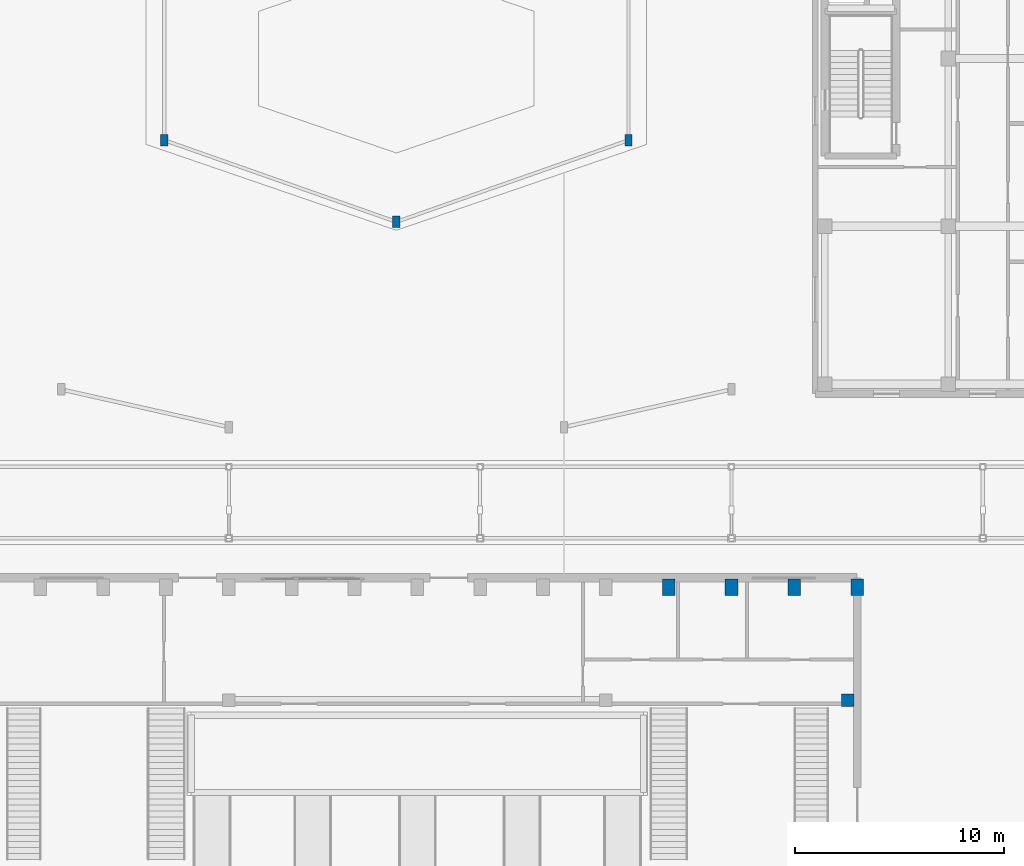
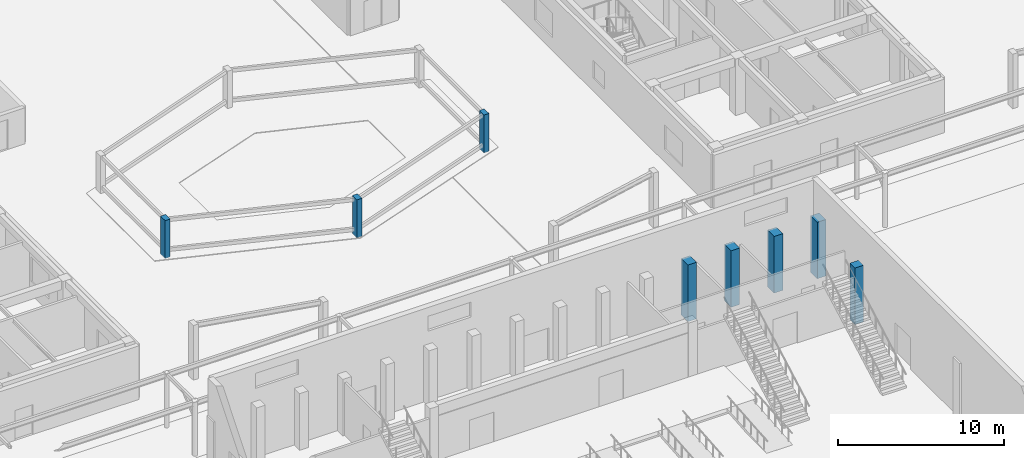
# One storey, part 7 of 114: 8 columns.
"""IFC4 building model written with IfcOpenShell, lengths in metres."""

import ifcopenshell
import ifcopenshell.guid

model = None  # the IFC model being written
_history = None  # IfcOwnerHistory: only IFC2X3 demands one
_inside = {}  # id of a spatial element -> (the spatial element, [elements in it])
_under = {}  # id of a project, library or spatial element -> (it, [spatial elements below it])
_declared = {}  # id of a project -> (the project, [libraries it declares])
_typed = {}  # id of a type object -> (the type object, [elements of that type])
_made_of = {}  # id of a material, layer set ... -> (it, [elements and type objects made of it])


def new_model(schema):
    """Start an empty IFC model of exactly this schema.

    Asked for "IFC4X3", IfcOpenShell would pick the latest addendum, in which some entities
    have other attributes; the version numbers below select the first issue.
    IFC2X3 requires an IfcOwnerHistory on every rooted entity: one is made here for all.
    """
    global model, _history
    if schema == "IFC4X3":
        model = ifcopenshell.file(schema_version=(4, 3, 0, 0))
    else:
        model = ifcopenshell.file(schema=schema)
    _inside.clear()
    _under.clear()
    _declared.clear()
    _typed.clear()
    _made_of.clear()
    _history = None
    if model.schema == "IFC2X3":
        org = make("IfcOrganization", Name="unknown")
        user = make(
            "IfcPersonAndOrganization",
            ThePerson=make("IfcPerson", FamilyName="unknown"),
            TheOrganization=org,
        )
        app = make(
            "IfcApplication",
            ApplicationDeveloper=org,
            Version="unknown",
            ApplicationFullName="unknown",
            ApplicationIdentifier="unknown",
        )
        _history = make(
            "IfcOwnerHistory",
            OwningUser=user,
            OwningApplication=app,
            ChangeAction="ADDED",
            CreationDate=0,
        )
    return model


def make(cls, **values):
    """One entity of the class cls with the attributes given. An attribute that is None is left unset."""
    return model.create_entity(
        cls, **{name: value for name, value in values.items() if value is not None}
    )


def rooted(cls, **values):
    """An entity with a GlobalId (a new one), such as an element, a storey or a relation."""
    return make(cls, GlobalId=ifcopenshell.guid.new(), OwnerHistory=_history, **values)


def si_unit(unit_type, name, prefix=None):
    """IfcSIUnit, for example si_unit("LENGTHUNIT", "METRE", prefix="MILLI")."""
    return make("IfcSIUnit", UnitType=unit_type, Prefix=prefix, Name=name)


def assignment(units):
    """IfcUnitAssignment: the units of a project."""
    return None if units is None else make("IfcUnitAssignment", Units=units)


def point(xyz):
    """IfcCartesianPoint."""
    return None if xyz is None else make("IfcCartesianPoint", Coordinates=xyz)


def direction(xyz):
    """IfcDirection."""
    return None if xyz is None else make("IfcDirection", DirectionRatios=xyz)


def frame(location, z_axis=None, x_axis=None):
    """IfcAxis2Placement3D, a coordinate frame: its origin and axes. An axis left out is left unset."""
    return make(
        "IfcAxis2Placement3D",
        Location=point(location),
        Axis=direction(z_axis),
        RefDirection=direction(x_axis),
    )


def frame_2d(location, x_axis=None):
    """IfcAxis2Placement2D, a coordinate frame in the plane: its origin and x axis."""
    return make(
        "IfcAxis2Placement2D", Location=point(location), RefDirection=direction(x_axis)
    )


def origin():
    """The frame at (0, 0, 0) with its axes left unset."""
    return frame((0.0, 0.0, 0.0))


def origin_2d():
    """The frame at (0, 0) in the plane with its x axis left unset."""
    return frame_2d((0.0, 0.0))


def place(relative_to, where):
    """IfcLocalPlacement: puts the frame where relative to a parent placement (None: the world)."""
    return make(
        "IfcLocalPlacement", PlacementRelTo=relative_to, RelativePlacement=where
    )


def context(
    kind, dimensions, precision=None, world=None, true_north=None, identifier=None
):
    """IfcGeometricRepresentationContext, for example the 3D "Model" context."""
    return make(
        "IfcGeometricRepresentationContext",
        ContextIdentifier=identifier,
        ContextType=kind,
        CoordinateSpaceDimension=dimensions,
        Precision=precision,
        WorldCoordinateSystem=world,
        TrueNorth=true_north,
    )


def subcontext(parent, identifier, kind, view, scale=None):
    """IfcGeometricRepresentationSubContext, for example "Body" below "Model"."""
    return make(
        "IfcGeometricRepresentationSubContext",
        ContextIdentifier=identifier,
        ContextType=kind,
        ParentContext=parent,
        TargetScale=scale,
        TargetView=view,
    )


def project(units=None, contexts=None):
    """IfcProject with its units and contexts."""
    return rooted(
        "IfcProject",
        Name="project",
        RepresentationContexts=contexts,
        UnitsInContext=assignment(units),
    )


def spatial(cls, under=None, at=None, **own):
    """A site, building, storey or space (cls), placed at a placement, below another one or the project."""
    s = rooted(cls, ObjectPlacement=at, **own)
    if under is not None:
        _under.setdefault(under.id(), (under, []))[1].append(s)
    return s


def profile(cls, at=None, kind="AREA", **sizes):
    """A parametric profile (cls). Its sizes go by their IFC names, for example OverallWidth=200.0."""
    return make(cls, ProfileType=kind, Position=at, **sizes)


def rectangle(**sizes):
    """IfcRectangleProfileDef."""
    return profile("IfcRectangleProfileDef", **sizes)


def extrude(swept, where, along, depth):
    """IfcExtrudedAreaSolid: the profile swept, set in the frame where, extruded along a direction by depth."""
    return make(
        "IfcExtrudedAreaSolid",
        SweptArea=swept,
        Position=where,
        ExtrudedDirection=direction(along),
        Depth=depth,
    )


def shape(context_of_items, identifier, shape_type, items):
    """IfcShapeRepresentation: the items that make up one representation, for example the "Body"."""
    return make(
        "IfcShapeRepresentation",
        ContextOfItems=context_of_items,
        RepresentationIdentifier=identifier,
        RepresentationType=shape_type,
        Items=items,
    )


def material(Name=None, Category=None):
    """IfcMaterial."""
    return make("IfcMaterial", Name=Name, Category=Category)


def material_profile(
    of_material, cross_section, Name=None, Category=None, Priority=None
):
    """IfcMaterialProfile: a cross section and its material."""
    return make(
        "IfcMaterialProfile",
        Name=Name,
        Material=of_material,
        Profile=cross_section,
        Priority=Priority,
        Category=Category,
    )


def profile_set(profiles, Name=None, composite=None):
    """IfcMaterialProfileSet."""
    return make(
        "IfcMaterialProfileSet",
        Name=Name,
        MaterialProfiles=profiles,
        CompositeProfile=composite,
    )


def made_of(thing, what):
    """Note that an element or type object is made of a material, layer set ...; save() writes the relation."""
    if what is not None:
        _made_of.setdefault(what.id(), (what, []))[1].append(thing)
    return thing


def type_object(cls, material=None, **own):
    """A type object (cls), such as IfcWallType, which elements share."""
    return made_of(rooted(cls, **own), material)


def element(
    cls,
    number,
    at=None,
    inside=None,
    cuts=None,
    type_object=None,
    material=None,
    context=None,
    identifier="Body",
    shape_type=None,
    held_by="IfcProductDefinitionShape",
    body=None,
    shapes=None,
    **own,
):
    """One element of the class cls, such as IfcWall. Its Tag is "e" and its number.

    at: its placement. inside: the storey or other place that contains it. cuts: it is an
    opening in that element (IfcRelVoidsElement). A single representation is given by context,
    identifier, shape_type and body (its items); several are given by shapes. held_by: the class
    of the entity that holds the representations. save() writes the other relations.
    """
    e = rooted(cls, Tag="e%d" % number, ObjectPlacement=at, **own)
    if body is not None:
        shapes = [shape(context, identifier, shape_type, body)]
    if shapes is not None:
        e.Representation = make(held_by, Representations=shapes)
    if inside is not None:
        _inside.setdefault(inside.id(), (inside, []))[1].append(e)
    if cuts is not None:
        rooted(
            "IfcRelVoidsElement", RelatingBuildingElement=cuts, RelatedOpeningElement=e
        )
    if type_object is not None:
        _typed.setdefault(type_object.id(), (type_object, []))[1].append(e)
    return made_of(e, material)


def aggregate(whole, parts):
    """IfcRelAggregates: a whole, such as a stair, and the parts it consists of."""
    return rooted("IfcRelAggregates", RelatingObject=whole, RelatedObjects=parts)


def save(model, path):
    """Write the relations noted so far, then the file.

    IfcRelAggregates (storeys below a building ...), IfcRelContainedInSpatialStructure (elements
    in a storey), IfcRelDefinesByType, IfcRelAssociatesMaterial and IfcRelDeclares: one each for
    every whole, place, type object, material and project.
    """
    for whole, parts in _under.values():
        aggregate(whole, parts)
    for where, things in _inside.values():
        rooted(
            "IfcRelContainedInSpatialStructure",
            RelatedElements=things,
            RelatingStructure=where,
        )
    for kind, things in _typed.values():
        rooted("IfcRelDefinesByType", RelatedObjects=things, RelatingType=kind)
    for what, things in _made_of.values():
        rooted("IfcRelAssociatesMaterial", RelatedObjects=things, RelatingMaterial=what)
    for by, libraries in _declared.values():
        rooted("IfcRelDeclares", RelatingContext=by, RelatedDefinitions=libraries)
    model.write(path)


model = new_model("IFC4")

# Units and contexts
model_context = context("Model", 3, precision=1e-05, world=origin(), true_north=direction((0.0, 1.0)))
body_context = subcontext(model_context, "Body", "Model", "MODEL_VIEW")
ifc_project = project(units=[si_unit("LENGTHUNIT", "METRE"), si_unit("AREAUNIT", "SQUARE_METRE"), si_unit("VOLUMEUNIT", "CUBIC_METRE"), si_unit("PLANEANGLEUNIT", "RADIAN"), si_unit("MASSUNIT", "GRAM", prefix="KILO")], contexts=[model_context])

# Site, building, storey
site_placement = place(None, origin())
site = spatial("IfcSite", under=ifc_project, at=site_placement, CompositionType="ELEMENT")
building_placement = place(site_placement, origin())
building = spatial("IfcBuilding", under=site, at=building_placement, Name="Keldmere Railside Commons", CompositionType="ELEMENT")
storey_placement = place(building_placement, origin())
storey = spatial("IfcBuildingStorey", under=building, at=storey_placement, Name="L00", CompositionType="ELEMENT", Elevation=0.0)

# Columns
ifc_material_1 = material(Name="Concrete H-40 (C40/50)", Category="concrete")
ifc_material_profile_1 = material_profile(ifc_material_1, rectangle(XDim=0.60009765625, YDim=0.800048828125, at=origin_2d()), Name="RC-600x800")
ifc_profile_set_1 = profile_set([ifc_material_profile_1], Name="Concrete H-40 (C40/50)")
column_type_1 = type_object("IfcColumnType", Name="Community Hall Pier Column 600x800", PredefinedType="COLUMN", material=ifc_profile_set_1)
for number, where, z_axis, x_axis, name in (
    (1, (97.0, 46.75, 0.0), (0.0, 0.0, 1.0), (1.0, 0.0, 0.0), "C-HALL COL-L00-0864"),
    (2, (100.0, 46.75, 0.0), (0.0, 0.0, 1.0), (1.0, 0.0, 0.0), "C-HALL COL-L00-0870"),
    (3, (103.0, 46.75, 0.0), (0.0, 0.0, 1.0), (1.0, 0.0, 0.0), "C-HALL COL-L00-0918"),
    (4, (106.0, 46.75, 0.0), (0.0, 0.0, 1.0), (1.0, 0.0, 0.0), "C-HALL COL-L00-0976"),
):
    element("IfcColumn", number, at=place(storey_placement, frame(where, z_axis=z_axis, x_axis=x_axis)), inside=storey, type_object=column_type_1, Name=name, PredefinedType="COLUMN", context=body_context, shape_type="SweptSolid", body=[
        extrude(rectangle(XDim=0.60009765625, YDim=0.800048828125, at=origin_2d()), origin(), (0.0, 0.0, 1.0), 4.159912109375),
    ])
ifc_material_2 = material(Name="Architectural Precast Concrete H-35 (C35/45)", Category="concrete")
ifc_material_profile_2 = material_profile(ifc_material_2, rectangle(XDim=0.35009765625, YDim=0.550048828125, at=origin_2d()), Name="RC-350x550")
ifc_profile_set_2 = profile_set([ifc_material_profile_2], Name="Architectural Precast Concrete H-35 (C35/45)")
column_type_2 = type_object("IfcColumnType", Name="Facade Precast Pilaster Column 350x550", PredefinedType="PILASTER", material=ifc_profile_set_2)
for number, where, z_axis, x_axis, name in (
    (5, (72.9150390625, 68.10009765625, 0.0), (0.0, 0.0, 1.0), (1.0, 0.0, 0.0), "C-PIL COL-L00-0716"),
    (6, (84.0, 64.199951171875, 0.0), (0.0, 0.0, 1.0), (1.0, 0.0, 0.0), "C-PIL COL-L00-0775"),
    (7, (95.0849609375, 68.10009765625, 0.0), (0.0, 0.0, 1.0), (1.0, 0.0, 0.0), "C-PIL COL-L00-0854"),
):
    element("IfcColumn", number, at=place(storey_placement, frame(where, z_axis=z_axis, x_axis=x_axis)), inside=storey, type_object=column_type_2, Name=name, PredefinedType="PILASTER", context=body_context, shape_type="SweptSolid", body=[
        extrude(rectangle(XDim=0.35009765625, YDim=0.550048828125, at=origin_2d()), origin(), (0.0, 0.0, 1.0), 2.800048828125),
    ])
ifc_material_3 = material(Name="Concrete H-35 (C35/45)", Category="concrete")
ifc_material_profile_3 = material_profile(ifc_material_3, rectangle(XDim=0.60009765625, YDim=0.60009765625, at=origin_2d()), Name="RC-600x600")
ifc_profile_set_3 = profile_set([ifc_material_profile_3], Name="Concrete H-35 (C35/45)")
column_type_3 = type_object("IfcColumnType", Name="Mid-Rise RC Column 600x600", PredefinedType="COLUMN", material=ifc_profile_set_3)
column_placement = place(storey_placement, frame((105.550048828125, 41.35009765625, 0.0), z_axis=(0.0, 0.0, 1.0), x_axis=(1.0, 0.0, 0.0)))
element("IfcColumn", 8, at=column_placement, inside=storey, type_object=column_type_3, Name="C-600 COL-L00-0968", PredefinedType="COLUMN", context=body_context, shape_type="SweptSolid", body=[
    extrude(rectangle(XDim=0.60009765625, YDim=0.60009765625, at=origin_2d()), origin(), (0.0, 0.0, 1.0), 4.159912109375),
])

save(model, "model.ifc")
